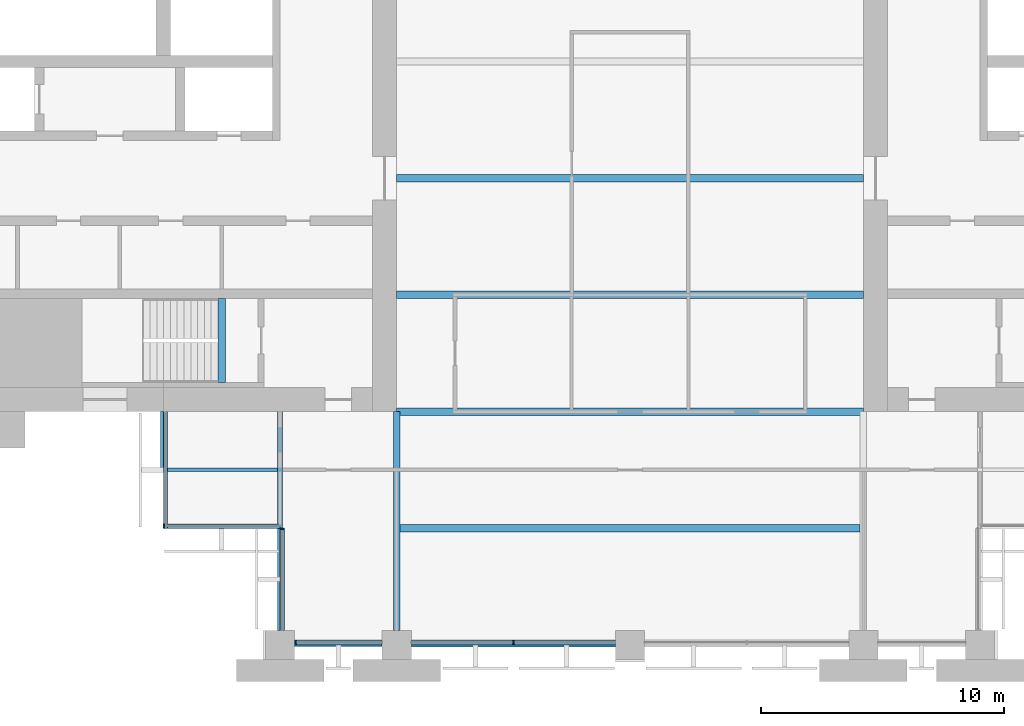
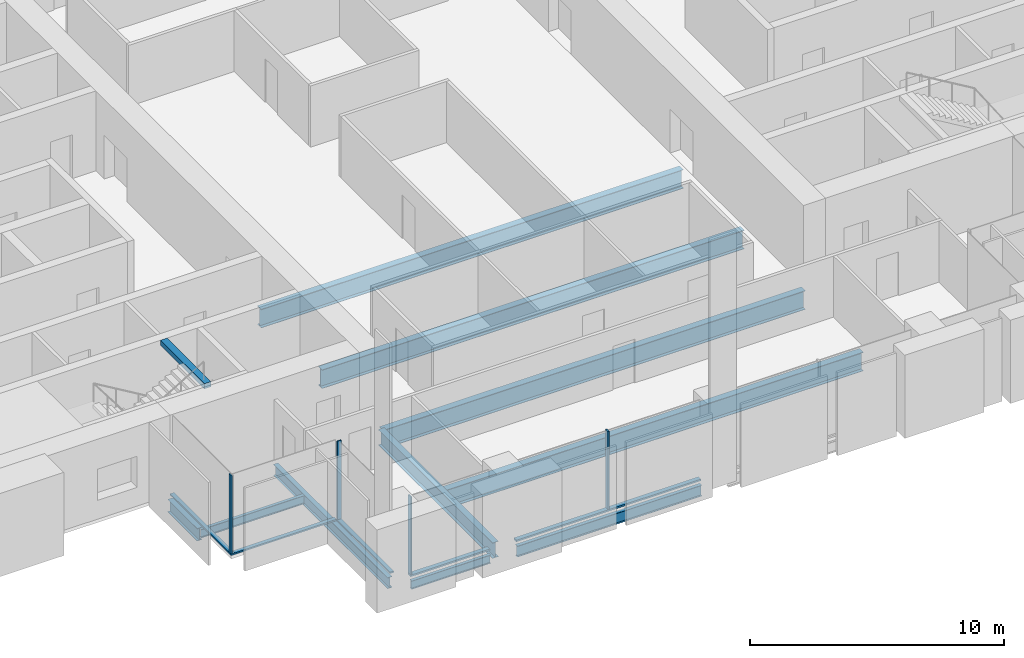
# One storey, part 2 of 14: 11 beams, 9 members, 4 elements without a shape of their own.
"""IFC4 building model written with IfcOpenShell, lengths in metres."""

from ifc_helpers import new_model, si_unit, direction, frame, origin, origin_2d, place, context, subcontext, project, spatial, rectangle, i_section, extrude, material, material_profile, profile_set, type_object, element, aggregate, save


model = new_model("IFC4")

# Units and contexts
model_context = context("Model", 3, precision=1e-05, world=origin(), true_north=direction((0.0, 1.0)))
body_context = subcontext(model_context, "Body", "Model", "MODEL_VIEW")
ifc_project = project(units=[si_unit("LENGTHUNIT", "METRE"), si_unit("AREAUNIT", "SQUARE_METRE"), si_unit("VOLUMEUNIT", "CUBIC_METRE"), si_unit("PLANEANGLEUNIT", "RADIAN"), si_unit("MASSUNIT", "GRAM", prefix="KILO")], contexts=[model_context])

# Site, building, storey
site_placement = place(None, origin())
site = spatial("IfcSite", under=ifc_project, at=site_placement, CompositionType="ELEMENT")
building_placement = place(site_placement, origin())
building = spatial("IfcBuilding", under=site, at=building_placement, Name="Baori Bourse Tower", CompositionType="ELEMENT")
storey_placement = place(building_placement, frame((0.0, 0.0, 132.10009765625)))
storey = spatial("IfcBuildingStorey", under=building, at=storey_placement, Name="L28", CompositionType="ELEMENT", Elevation=132.10009765625)

# Curtain wall, members
ifc_material_1 = material(Name="Pale anodised aluminium", Category="aluminium")
curtain_wall_type_1 = type_object("IfcCurtainWallType", Name="CW1 Curtain wall", PredefinedType="NOTDEFINED", material=ifc_material_1)
curtain_wall_1_placement = place(storey_placement, origin())
curtain_wall_1 = element("IfcCurtainWall", 1, at=curtain_wall_1_placement, inside=storey, type_object=curtain_wall_type_1, Name="Curtain wall CW1 L28 11", PredefinedType="NOTDEFINED")
ifc_material_2 = material(Name="Pale anodised aluminium", Category="aluminium")
ifc_material_profile_1 = material_profile(ifc_material_2, rectangle(XDim=0.199951171875, YDim=0.06005859375, at=origin_2d()), Name="Mullion 60x200")
ifc_profile_set_1 = profile_set([ifc_material_profile_1], Name="Pale anodised aluminium")
member_type_1 = type_object("IfcMemberType", Name="CW1 Curtain wall mullion", PredefinedType="MULLION", material=ifc_profile_set_1)
member_1_placement = place(storey_placement, frame((15.030029296875, 0.10009765625, 0.079833984375), z_axis=(0.0, 0.0, 1.0), x_axis=(0.0, 1.0, 0.0)))
member_1 = element("IfcMember", 2, at=member_1_placement, type_object=member_type_1, Name="Curtain wall CW1 mullion", PredefinedType="MULLION", context=body_context, shape_type="SweptSolid", body=[
    extrude(rectangle(XDim=0.199951171875, YDim=0.06005859375, at=origin_2d()), origin(), (0.0, 0.0, 1.0), 3.760009765625),
])
member_2_placement = place(storey_placement, frame((24.0, 0.10009765625, 0.079833984375), z_axis=(0.0, 0.0, 1.0), x_axis=(0.0, 1.0, 0.0)))
member_2 = element("IfcMember", 3, at=member_2_placement, type_object=member_type_1, Name="Curtain wall CW1 mullion", PredefinedType="MULLION", context=body_context, shape_type="SweptSolid", body=[
    extrude(rectangle(XDim=0.199951171875, YDim=0.06005859375, at=origin_2d()), origin(), (0.0, 0.0, 1.0), 3.760009765625),
])
ifc_material_3 = material(Name="Pale anodised aluminium", Category="aluminium")
ifc_material_profile_2 = material_profile(ifc_material_3, rectangle(XDim=0.199951171875, YDim=0.080078125, at=origin_2d()), Name="Transom 80x200")
ifc_profile_set_2 = profile_set([ifc_material_profile_2], Name="Pale anodised aluminium")
member_type_2 = type_object("IfcMemberType", Name="CW1 Curtain wall transom", PredefinedType="USERDEFINED", material=ifc_profile_set_2)
member_3_placement = place(storey_placement, frame((15.0, 0.10009765625, 0.039794921875), z_axis=(1.0, 0.0, 0.0), x_axis=(0.0, 1.0, 0.0)))
member_3 = element("IfcMember", 4, at=member_3_placement, type_object=member_type_2, Name="Curtain wall CW1 sill rail", ObjectType="TRANSOM", PredefinedType="USERDEFINED", context=body_context, shape_type="SweptSolid", body=[
    extrude(rectangle(XDim=0.199951171875, YDim=0.080078125, at=origin_2d()), origin(), (0.0, 0.0, 1.0), 3.60009765625),
])
member_4_placement = place(storey_placement, frame((19.800048828125, 0.10009765625, 0.039794921875), z_axis=(1.0, 0.0, 0.0), x_axis=(0.0, 1.0, 0.0)))
member_4 = element("IfcMember", 5, at=member_4_placement, type_object=member_type_2, Name="Curtain wall CW1 sill rail", ObjectType="TRANSOM", PredefinedType="USERDEFINED", context=body_context, shape_type="SweptSolid", body=[
    extrude(rectangle(XDim=0.199951171875, YDim=0.080078125, at=origin_2d()), origin(), (0.0, 0.0, 1.0), 8.39990234375),
])
aggregate(curtain_wall_1, [member_3, member_1, member_4, member_2])

# Curtain wall, member
ifc_material_4 = material(Name="Pale anodised aluminium", Category="aluminium")
curtain_wall_type_2 = type_object("IfcCurtainWallType", Name="CW2 Curtain wall", PredefinedType="NOTDEFINED", material=ifc_material_4)
curtain_wall_2_placement = place(storey_placement, origin())
curtain_wall_2 = element("IfcCurtainWall", 6, at=curtain_wall_2_placement, inside=storey, type_object=curtain_wall_type_2, Name="Curtain wall CW2 L28 9", PredefinedType="NOTDEFINED")
ifc_material_5 = material(Name="Pale anodised aluminium", Category="aluminium")
ifc_material_profile_3 = material_profile(ifc_material_5, rectangle(XDim=0.179931640625, YDim=0.054931640625, at=origin_2d()), Name="Mullion 55x180")
ifc_profile_set_3 = profile_set([ifc_material_profile_3], Name="Pale anodised aluminium")
member_type_3 = type_object("IfcMemberType", Name="CW2 Curtain wall mullion", PredefinedType="MULLION", material=ifc_profile_set_3)
member_5_placement = place(storey_placement, frame((9.62744140625, 4.889892578125, 0.06982421875), z_axis=(0.0, 0.0, 1.0), x_axis=(0.0, 1.0, 0.0)))
member_5 = element("IfcMember", 7, at=member_5_placement, type_object=member_type_3, Name="Curtain wall CW2 mullion", PredefinedType="MULLION", context=body_context, shape_type="SweptSolid", body=[
    extrude(rectangle(XDim=0.179931640625, YDim=0.054931640625, at=origin_2d()), origin(), (0.0, 0.0, 1.0), 3.77001953125),
])

curtain_wall_3_placement = place(storey_placement, origin())
curtain_wall_3 = element("IfcCurtainWall", 8, at=curtain_wall_3_placement, inside=storey, type_object=curtain_wall_type_2, Name="Curtain wall CW2 L28 10", PredefinedType="NOTDEFINED")
member_6_placement = place(storey_placement, frame((14.489990234375, 4.7724609375, 0.06982421875), z_axis=(0.0, 0.0, 1.0), x_axis=(1.0, 0.0, 0.0)))
member_6 = element("IfcMember", 9, at=member_6_placement, type_object=member_type_3, Name="Curtain wall CW2 mullion", PredefinedType="MULLION", context=body_context, shape_type="SweptSolid", body=[
    extrude(rectangle(XDim=0.179931640625, YDim=0.054931640625, at=origin_2d()), origin(), (0.0, 0.0, 1.0), 3.77001953125),
])

curtain_wall_4_placement = place(storey_placement, origin())
curtain_wall_4 = element("IfcCurtainWall", 10, at=curtain_wall_4_placement, inside=storey, type_object=curtain_wall_type_2, Name="Curtain wall CW2 L28 8", PredefinedType="NOTDEFINED")
ifc_material_6 = material(Name="Pale anodised aluminium", Category="aluminium")
ifc_material_profile_4 = material_profile(ifc_material_6, rectangle(XDim=0.179931640625, YDim=0.070068359375, at=origin_2d()), Name="Transom 70x180")
ifc_profile_set_4 = profile_set([ifc_material_profile_4], Name="Pale anodised aluminium")
member_type_4 = type_object("IfcMemberType", Name="CW2 Curtain wall transom", PredefinedType="USERDEFINED", material=ifc_profile_set_4)
member_7_placement = place(storey_placement, frame((9.68994140625, 9.60009765625, 0.034912109375), z_axis=(0.0, -1.0, 0.0), x_axis=(1.0, 0.0, 0.0)))
member_7 = element("IfcMember", 11, at=member_7_placement, type_object=member_type_4, Name="Curtain wall CW2 sill rail", ObjectType="TRANSOM", PredefinedType="USERDEFINED", context=body_context, shape_type="SweptSolid", body=[
    extrude(rectangle(XDim=0.179931640625, YDim=0.070068359375, at=origin_2d()), origin(), (0.0, 0.0, 1.0), 4.800048828125),
])
aggregate(curtain_wall_4, [member_7])

# Member
member_8_placement = place(storey_placement, frame((9.60009765625, 4.889892578125, 0.034912109375), z_axis=(1.0, 0.0, 0.0), x_axis=(0.0, 1.0, 0.0)))
member_8 = element("IfcMember", 12, at=member_8_placement, type_object=member_type_4, Name="Curtain wall CW2 sill rail", ObjectType="TRANSOM", PredefinedType="USERDEFINED", context=body_context, shape_type="SweptSolid", body=[
    extrude(rectangle(XDim=0.179931640625, YDim=0.070068359375, at=origin_2d()), origin(), (0.0, 0.0, 1.0), 4.7998046875),
])

aggregate(curtain_wall_2, [member_8, member_5])

member_9_placement = place(storey_placement, frame((14.489990234375, 4.800048828125, 0.034912109375), z_axis=(0.0, -1.0, 0.0), x_axis=(1.0, 0.0, 0.0)))
member_9 = element("IfcMember", 13, at=member_9_placement, type_object=member_type_4, Name="Curtain wall CW2 sill rail", ObjectType="TRANSOM", PredefinedType="USERDEFINED", context=body_context, shape_type="SweptSolid", body=[
    extrude(rectangle(XDim=0.179931640625, YDim=0.070068359375, at=origin_2d()), origin(), (0.0, 0.0, 1.0), 4.199951171875),
])

aggregate(curtain_wall_3, [member_9, member_6])

# Beams
ifc_material_7 = material(Name="Steel A992 Gr 50", Category="steel")
ifc_material_profile_5 = material_profile(ifc_material_7, i_section(OverallWidth=0.227783203125, OverallDepth=0.60205078125, WebThickness=0.010498046875, FlangeThickness=0.014892578125, at=origin_2d()), Name="W24x68")
ifc_profile_set_5 = profile_set([ifc_material_profile_5], Name="Steel A992 Gr 50")
beam_type_1 = type_object("IfcBeamType", Name="Core bracket W24x68", PredefinedType="BEAM", material=ifc_profile_set_5)
beam_1_placement = place(storey_placement, frame((9.60009765625, 7.270263671875, -0.461181640625), z_axis=(0.0, 1.0, 0.0), x_axis=(-1.0, 0.0, 0.0)))
element("IfcBeam", 14, at=beam_1_placement, inside=storey, type_object=beam_type_1, Name="Core bracket L28", PredefinedType="BEAM", context=body_context, shape_type="SweptSolid", body=[
    extrude(i_section(OverallWidth=0.227783203125, OverallDepth=0.60205078125, WebThickness=0.010498046875, FlangeThickness=0.014892578125, at=origin_2d()), origin(), (0.0, 0.0, 1.0), 2.329833984375),
])
ifc_material_8 = material(Name="Steel A992 Gr 50", Category="steel")
ifc_material_profile_6 = material_profile(ifc_material_8, i_section(OverallWidth=0.140380859375, OverallDepth=0.40380859375, WebThickness=0.007080078125, FlangeThickness=0.01123046875, at=origin_2d()), Name="W16x31")
ifc_profile_set_6 = profile_set([ifc_material_profile_6], Name="Steel A992 Gr 50")
beam_type_2 = type_object("IfcBeamType", Name="Edge beam W16x31", PredefinedType="BEAM", material=ifc_profile_set_6)
beam_2_placement = place(storey_placement, frame((15.0, 0.0, -0.362060546875), z_axis=(1.0, 0.0, 0.0), x_axis=(0.0, 1.0, 0.0)))
element("IfcBeam", 15, at=beam_2_placement, inside=storey, type_object=beam_type_2, Name="Edge beam L28", PredefinedType="BEAM", context=body_context, shape_type="SweptSolid", body=[
    extrude(i_section(OverallWidth=0.140380859375, OverallDepth=0.40380859375, WebThickness=0.007080078125, FlangeThickness=0.01123046875, at=origin_2d()), origin(), (0.0, 0.0, 1.0), 3.60009765625),
])
ifc_material_9 = material(Name="Steel A992 Gr 50", Category="steel")
ifc_material_profile_7 = material_profile(ifc_material_9, i_section(OverallWidth=0.1650390625, OverallDepth=0.52587890625, WebThickness=0.0087890625, FlangeThickness=0.011474609375, at=origin_2d()), Name="W21x44")
ifc_profile_set_7 = profile_set([ifc_material_profile_7], Name="Steel A992 Gr 50")
beam_type_3 = type_object("IfcBeamType", Name="Edge beam W21x44", PredefinedType="BEAM", material=ifc_profile_set_7)
beam_3_placement = place(storey_placement, frame((19.800048828125, 0.0, -0.423095703125), z_axis=(1.0, 0.0, 0.0), x_axis=(0.0, 1.0, 0.0)))
element("IfcBeam", 16, at=beam_3_placement, inside=storey, type_object=beam_type_3, Name="Edge beam L28", PredefinedType="BEAM", context=body_context, shape_type="SweptSolid", body=[
    extrude(i_section(OverallWidth=0.1650390625, OverallDepth=0.52587890625, WebThickness=0.0087890625, FlangeThickness=0.011474609375, at=origin_2d()), origin(), (0.0, 0.0, 1.0), 8.39990234375),
])
ifc_material_10 = material(Name="Steel A992 Gr 50", Category="steel")
ifc_material_profile_8 = material_profile(ifc_material_10, i_section(OverallWidth=0.209228515625, OverallDepth=0.533447265625, WebThickness=0.01025390625, FlangeThickness=0.015625, at=origin_2d()), Name="W21x62")
ifc_profile_set_8 = profile_set([ifc_material_profile_8], Name="Steel A992 Gr 50")
beam_type_4 = type_object("IfcBeamType", Name="Floor beam W21x62", PredefinedType="BEAM", material=ifc_profile_set_8)
beam_4_placement = place(storey_placement, frame((14.39990234375, 0.60009765625, -0.4267578125), z_axis=(0.0, 1.0, 0.0), x_axis=(-1.0, 0.0, 0.0)))
element("IfcBeam", 17, at=beam_4_placement, inside=storey, type_object=beam_type_4, Name="Floor beam L28", PredefinedType="BEAM", context=body_context, shape_type="SweptSolid", body=[
    extrude(i_section(OverallWidth=0.209228515625, OverallDepth=0.533447265625, WebThickness=0.01025390625, FlangeThickness=0.015625, at=origin_2d()), origin(), (0.0, 0.0, 1.0), 9.0),
])
ifc_material_11 = material(Name="Steel A992 Gr 50", Category="steel")
ifc_material_profile_9 = material_profile(ifc_material_11, i_section(OverallWidth=0.3046875, OverallDepth=0.904296875, WebThickness=0.01513671875, FlangeThickness=0.02001953125, at=origin_2d()), Name="W36x135")
ifc_profile_set_9 = profile_set([ifc_material_profile_9], Name="Steel A992 Gr 50")
beam_type_5 = type_object("IfcBeamType", Name="Floor beam W36x135", PredefinedType="BEAM", material=ifc_profile_set_9)
beam_5_placement = place(storey_placement, frame((19.33203125, 4.800048828125, -0.6123046875), z_axis=(1.0, 0.0, 0.0), x_axis=(0.0, 1.0, 0.0)))
element("IfcBeam", 18, at=beam_5_placement, inside=storey, type_object=beam_type_5, Name="Floor beam L28", PredefinedType="BEAM", context=body_context, shape_type="SweptSolid", body=[
    extrude(i_section(OverallWidth=0.3046875, OverallDepth=0.904296875, WebThickness=0.01513671875, FlangeThickness=0.02001953125, at=origin_2d()), origin(), (0.0, 0.0, 1.0), 18.935791015625),
])
for number, where, z_axis, x_axis, name in (
    (19, (19.199951171875, 9.60009765625, -0.6123046875), (1.0, 0.0, 0.0), (0.0, 1.0, 0.0), "Floor beam L28"),
    (20, (19.199951171875, 14.39990234375, -0.6123046875), (1.0, 0.0, 0.0), (0.0, 1.0, 0.0), "Floor beam L28"),
    (21, (19.199951171875, 19.199951171875, -0.6123046875), (1.0, 0.0, 0.0), (0.0, 1.0, 0.0), "Floor beam L28"),
):
    element("IfcBeam", number, at=place(storey_placement, frame(where, z_axis=z_axis, x_axis=x_axis)), inside=storey, type_object=beam_type_5, Name=name, PredefinedType="BEAM", context=body_context, shape_type="SweptSolid", body=[
        extrude(i_section(OverallWidth=0.3046875, OverallDepth=0.904296875, WebThickness=0.01513671875, FlangeThickness=0.02001953125, at=origin_2d()), origin(), (0.0, 0.0, 1.0), 19.199951171875),
    ])
ifc_material_12 = material(Name="Steel A992 Gr 50", Category="steel")
ifc_material_profile_10 = material_profile(ifc_material_12, i_section(OverallWidth=0.26416015625, OverallDepth=0.749267578125, WebThickness=0.011962890625, FlangeThickness=0.015380859375, at=origin_2d()), Name="W30x90")
ifc_profile_set_10 = profile_set([ifc_material_profile_10], Name="Steel A992 Gr 50")
beam_type_6 = type_object("IfcBeamType", Name="Girder W30x90", PredefinedType="BEAM", material=ifc_profile_set_10)
beam_6_placement = place(storey_placement, frame((19.199951171875, 0.60009765625, -0.53466796875), z_axis=(0.0, 1.0, 0.0), x_axis=(-1.0, 0.0, 0.0)))
element("IfcBeam", 22, at=beam_6_placement, inside=storey, type_object=beam_type_6, Name="Girder L28", PredefinedType="BEAM", context=body_context, shape_type="SweptSolid", body=[
    extrude(i_section(OverallWidth=0.26416015625, OverallDepth=0.749267578125, WebThickness=0.011962890625, FlangeThickness=0.015380859375, at=origin_2d()), origin(), (0.0, 0.0, 1.0), 9.0),
])
ifc_material_13 = material(Name="Concrete f'c 50 MPa", Category="concrete")
ifc_material_profile_11 = material_profile(ifc_material_13, rectangle(XDim=0.300048828125, YDim=0.25, at=origin_2d()), Name="RC 300x250")
ifc_profile_set_11 = profile_set([ifc_material_profile_11], Name="Concrete f'c 50 MPa")
beam_type_7 = type_object("IfcBeamType", Name="Stair nib beam RC 300x250", PredefinedType="BEAM", material=ifc_profile_set_11)
beam_7_placement = place(storey_placement, frame((12.0, 10.800048828125, 3.71484375), z_axis=(0.0, 1.0, 0.0), x_axis=(-1.0, 0.0, 0.0)))
element("IfcBeam", 23, at=beam_7_placement, inside=storey, type_object=beam_type_7, Name="Stair WA nib beam L29", PredefinedType="BEAM", context=body_context, shape_type="SweptSolid", body=[
    extrude(rectangle(XDim=0.300048828125, YDim=0.25, at=origin_2d()), origin(), (0.0, 0.0, 1.0), 3.449951171875),
])
ifc_material_14 = material(Name="Steel A992 Gr 50", Category="steel")
ifc_material_profile_12 = material_profile(ifc_material_14, i_section(OverallWidth=0.140380859375, OverallDepth=0.40380859375, WebThickness=0.007080078125, FlangeThickness=0.01123046875, at=origin_2d()), Name="W16x31")
ifc_profile_set_12 = profile_set([ifc_material_profile_12], Name="Steel A992 Gr 50")
beam_type_8 = type_object("IfcBeamType", Name="Trimmer beam W16x31", PredefinedType="BEAM", material=ifc_profile_set_12)
beam_8_placement = place(storey_placement, frame((9.60009765625, 7.199951171875, -0.362060546875), z_axis=(1.0, 0.0, 0.0), x_axis=(0.0, 1.0, 0.0)))
element("IfcBeam", 24, at=beam_8_placement, inside=storey, type_object=beam_type_8, Name="Trimmer beam L28", PredefinedType="BEAM", context=body_context, shape_type="SweptSolid", body=[
    extrude(i_section(OverallWidth=0.140380859375, OverallDepth=0.40380859375, WebThickness=0.007080078125, FlangeThickness=0.01123046875, at=origin_2d()), origin(), (0.0, 0.0, 1.0), 4.6953125),
])

save(model, "model.ifc")
